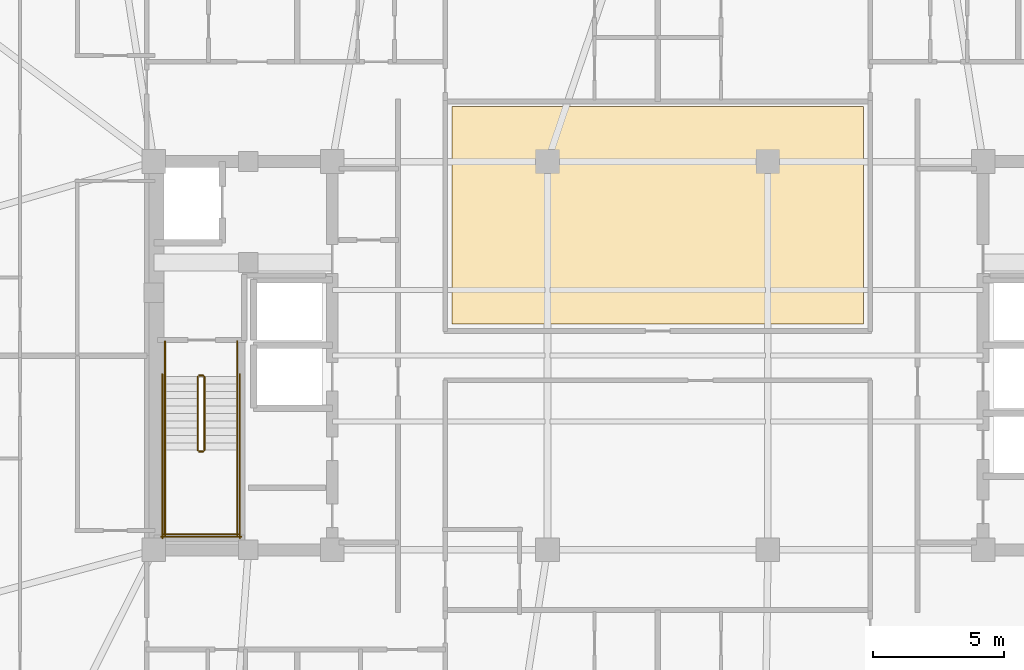
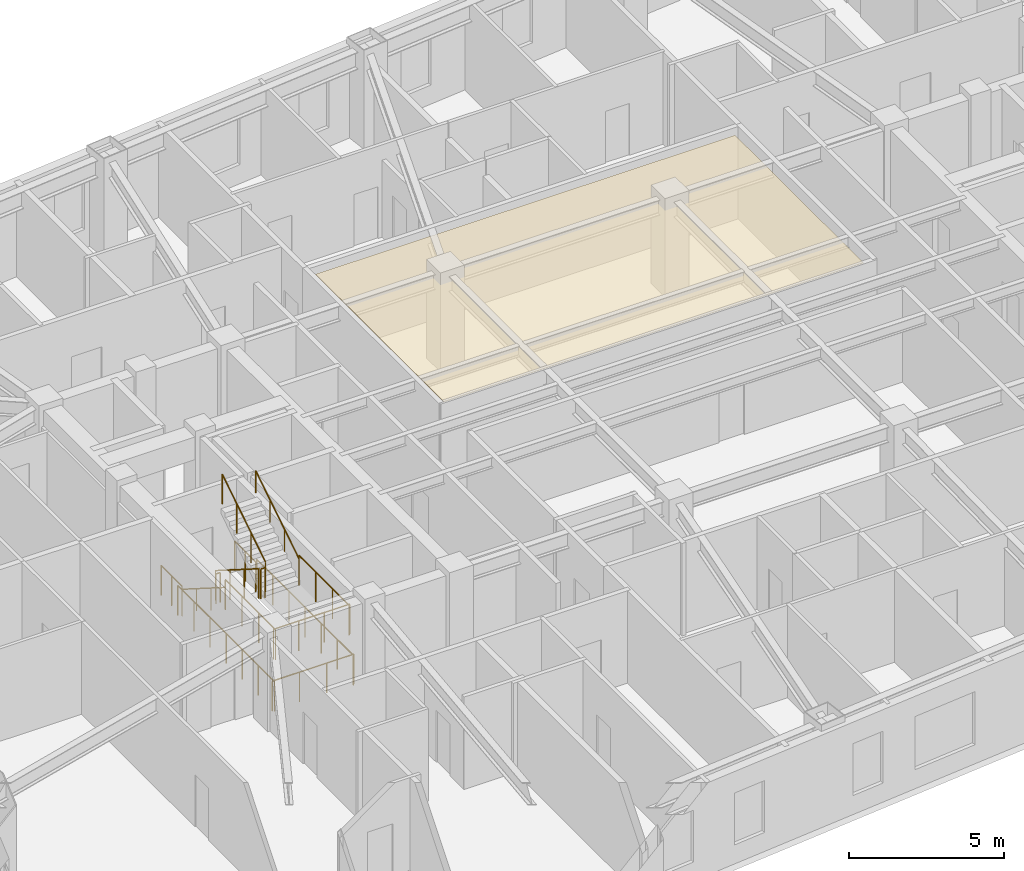
# One storey, part 10 of 11: 14 railings, 1 covering.
"""IFC4 building model written with IfcOpenShell, lengths in metres."""

from ifc_helpers import new_model, si_unit, direction, frame, origin, origin_2d, place, context, subcontext, project, spatial, polyline, circle, outline, extrude, material, layer, layer_set, type_object, element, save


model = new_model("IFC4")

# Units and contexts
model_context = context("Model", 3, precision=1e-05, world=origin(), true_north=direction((0.0, 1.0)))
body_context = subcontext(model_context, "Body", "Model", "MODEL_VIEW")
ifc_project = project(units=[si_unit("LENGTHUNIT", "METRE"), si_unit("AREAUNIT", "SQUARE_METRE"), si_unit("VOLUMEUNIT", "CUBIC_METRE"), si_unit("PLANEANGLEUNIT", "RADIAN"), si_unit("MASSUNIT", "GRAM", prefix="KILO")], contexts=[model_context])

# Site, building, storey
site_placement = place(None, origin())
site = spatial("IfcSite", under=ifc_project, at=site_placement, CompositionType="ELEMENT")
building_placement = place(site_placement, origin())
building = spatial("IfcBuilding", under=site, at=building_placement, Name="Voryun Gate Residences", CompositionType="ELEMENT")
storey_placement = place(building_placement, frame((0.0, 0.0, 183.300048828125)))
storey = spatial("IfcBuildingStorey", under=building, at=storey_placement, Name="L45", CompositionType="ELEMENT", Elevation=183.300048828125)

# Covering
ifc_material_1 = material(Name="Gypsum acoustic ceiling")
ifc_layer = layer(ifc_material_1, 0.02490234375, Name="COV_CEILING_ACOUSTIC")
ifc_layer_set = layer_set([ifc_layer], Name="Gypsum acoustic ceiling")
covering_type = type_object("IfcCoveringType", Name="COV_CEILING_ACOUSTIC", PredefinedType="CEILING", material=ifc_layer_set)
covering_placement = place(storey_placement, frame((0.0, 0.0, 3.39990234375)))
element("IfcCovering", 1, at=covering_placement, inside=storey, type_object=covering_type, Name="Acoustic ceiling CLG-L45-01", PredefinedType="CEILING", context=body_context, shape_type="SweptSolid", body=[
    extrude(outline(polyline([(-7.840087890625, 1.199951171875), (-7.840087890625, 9.5), (7.840087890625, 9.5), (7.840087890625, 1.199951171875), (-7.840087890625, 1.199951171875)])), origin(), (0.0, 0.0, 1.0), 0.025146484375),
])

# Railings
ifc_material_2 = material(Name="Painted steel", Category="steel")
railing_type_1 = type_object("IfcRailingType", Name="RAIL_STAIR_GUARD_1200", PredefinedType="GUARDRAIL", material=ifc_material_2)
railing_1_placement = place(storey_placement, frame((-17.52490234375, -0.800048828125, 0.17724609375)))
element("IfcRailing", 2, at=railing_1_placement, inside=storey, type_object=railing_type_1, Name="L45 ST-W1 stair guard 1", PredefinedType="GUARDRAIL", context=body_context, shape_type="SweptSolid", body=[
    extrude(circle(Radius=0.02392578125, at=origin_2d()), frame((0.0, 0.0, 1.17578125), z_axis=(0.0, -0.844908973607, 0.534910110503), x_axis=(1.0, 0.0, 0.0)), (0.0, 0.0, 1.0), 3.31396484375),
    extrude(circle(Radius=0.02099609375, at=origin_2d()), origin(), (0.0, 0.0, 1.0), 1.15185546875),
    extrude(circle(Radius=0.02099609375, at=origin_2d()), frame((0.0, -0.933349609375, 0.5908203125)), (0.0, 0.0, 1.0), 1.15185546875),
    extrude(circle(Radius=0.02099609375, at=origin_2d()), frame((0.0, -1.86669921875, 1.181884765625)), (0.0, 0.0, 1.0), 1.15185546875),
    extrude(circle(Radius=0.02099609375, at=origin_2d()), frame((0.0, -2.800048828125, 1.772705078125)), (0.0, 0.0, 1.0), 1.15185546875),
])
railing_2_placement = place(storey_placement, frame((-17.47509765625, -3.64990234375, 1.949951171875)))
element("IfcRailing", 3, at=railing_2_placement, inside=storey, type_object=railing_type_1, Name="L45 ST-W1 stair guard 2", PredefinedType="GUARDRAIL", context=body_context, shape_type="SweptSolid", body=[
    extrude(circle(Radius=0.02392578125, at=origin_2d()), frame((0.0, 0.0, 1.17578125), z_axis=(1.0, 0.0, 0.0), x_axis=(0.0, 1.0, 0.0)), (0.0, 0.0, 1.0), 0.150146484375),
    extrude(circle(Radius=0.02099609375, at=origin_2d()), origin(), (0.0, 0.0, 1.0), 1.15185546875),
    extrude(circle(Radius=0.02099609375, at=origin_2d()), frame((0.150146484375, 0.0, 0.0)), (0.0, 0.0, 1.0), 1.15185546875),
])
for number, where, name in (
    (4, (-18.77490234375, -3.60009765625, 1.949951171875), "L45 ST-W1 stair guard 3"),
    (5, (-16.02490234375, -3.60009765625, 1.949951171875), "L45 ST-W1 stair guard 4"),
):
    element("IfcRailing", number, at=place(storey_placement, frame(where)), inside=storey, type_object=railing_type_1, Name=name, PredefinedType="GUARDRAIL", context=body_context, shape_type="SweptSolid", body=[
        extrude(circle(Radius=0.02392578125, at=origin_2d()), frame((0.0, 0.0, 1.17578125), z_axis=(0.0, -1.0, 0.0), x_axis=(1.0, 0.0, 0.0)), (0.0, 0.0, 1.0), 3.25),
        extrude(circle(Radius=0.02099609375, at=origin_2d()), origin(), (0.0, 0.0, 1.0), 1.15185546875),
        extrude(circle(Radius=0.02099609375, at=origin_2d()), frame((0.0, -1.083251953125, 0.0)), (0.0, 0.0, 1.0), 1.15185546875),
        extrude(circle(Radius=0.02099609375, at=origin_2d()), frame((0.0, -2.166748046875, 0.0)), (0.0, 0.0, 1.0), 1.15185546875),
        extrude(circle(Radius=0.02099609375, at=origin_2d()), frame((0.0, -3.25, 0.0)), (0.0, 0.0, 1.0), 1.15185546875),
    ])
railing_3_placement = place(storey_placement, frame((-18.824951171875, -6.800048828125, 1.949951171875)))
element("IfcRailing", 6, at=railing_3_placement, inside=storey, type_object=railing_type_1, Name="L45 ST-W1 stair guard 5", PredefinedType="GUARDRAIL", context=body_context, shape_type="SweptSolid", body=[
    extrude(circle(Radius=0.02392578125, at=origin_2d()), frame((0.0, 0.0, 1.17578125), z_axis=(1.0, 0.0, 0.0), x_axis=(0.0, 1.0, 0.0)), (0.0, 0.0, 1.0), 2.849853515625),
    extrude(circle(Radius=0.02099609375, at=origin_2d()), origin(), (0.0, 0.0, 1.0), 1.15185546875),
    extrude(circle(Radius=0.02099609375, at=origin_2d()), frame((0.949951171875, 0.0, 0.0)), (0.0, 0.0, 1.0), 1.15185546875),
    extrude(circle(Radius=0.02099609375, at=origin_2d()), frame((1.89990234375, 0.0, 0.0)), (0.0, 0.0, 1.0), 1.15185546875),
    extrude(circle(Radius=0.02099609375, at=origin_2d()), frame((2.849853515625, 0.0, 0.0)), (0.0, 0.0, 1.0), 1.15185546875),
])
railing_4_placement = place(storey_placement, frame((-17.27490234375, -3.60009765625, 2.127197265625)))
element("IfcRailing", 7, at=railing_4_placement, inside=storey, type_object=railing_type_1, Name="L45 ST-W1 stair guard 6", PredefinedType="GUARDRAIL", context=body_context, shape_type="SweptSolid", body=[
    extrude(circle(Radius=0.02392578125, at=origin_2d()), frame((0.0, 0.0, 1.17578125), z_axis=(0.0, 0.844908973607, 0.534910110503), x_axis=(-1.0, 0.0, 0.0)), (0.0, 0.0, 1.0), 3.31396484375),
    extrude(circle(Radius=0.02099609375, at=origin_2d()), origin(), (0.0, 0.0, 1.0), 1.15185546875),
    extrude(circle(Radius=0.02099609375, at=origin_2d()), frame((0.0, 0.933349609375, 0.5908203125)), (0.0, 0.0, 1.0), 1.15185546875),
    extrude(circle(Radius=0.02099609375, at=origin_2d()), frame((0.0, 1.86669921875, 1.181884765625)), (0.0, 0.0, 1.0), 1.15185546875),
    extrude(circle(Radius=0.02099609375, at=origin_2d()), frame((0.0, 2.800048828125, 1.772705078125)), (0.0, 0.0, 1.0), 1.15185546875),
])
railing_5_placement = place(storey_placement, frame((-17.47509765625, -0.75, 0.0)))
element("IfcRailing", 8, at=railing_5_placement, inside=storey, type_object=railing_type_1, Name="L45 ST-W1 stair guard 7", PredefinedType="GUARDRAIL", context=body_context, shape_type="SweptSolid", body=[
    extrude(circle(Radius=0.02392578125, at=origin_2d()), frame((0.0, 0.0, 1.17578125), z_axis=(1.0, 0.0, 0.0), x_axis=(0.0, 1.0, 0.0)), (0.0, 0.0, 1.0), 0.150146484375),
    extrude(circle(Radius=0.02099609375, at=origin_2d()), origin(), (0.0, 0.0, 1.0), 1.15185546875),
    extrude(circle(Radius=0.02099609375, at=origin_2d()), frame((0.150146484375, 0.0, 0.0)), (0.0, 0.0, 1.0), 1.15185546875),
])
for number, where, name in (
    (9, (-18.77490234375, 0.550048828125, 0.0), "L45 ST-W1 stair guard 8"),
    (10, (-16.02490234375, 0.550048828125, 0.0), "L45 ST-W1 stair guard 9"),
):
    element("IfcRailing", number, at=place(storey_placement, frame(where)), inside=storey, type_object=railing_type_1, Name=name, PredefinedType="GUARDRAIL", context=body_context, shape_type="SweptSolid", body=[
        extrude(circle(Radius=0.02392578125, at=origin_2d()), frame((0.0, 0.0, 1.17578125), z_axis=(0.0, -1.0, 0.0), x_axis=(1.0, 0.0, 0.0)), (0.0, 0.0, 1.0), 1.35009765625),
        extrude(circle(Radius=0.02099609375, at=origin_2d()), origin(), (0.0, 0.0, 1.0), 1.15185546875),
        extrude(circle(Radius=0.02099609375, at=origin_2d()), frame((0.0, -0.675048828125, 0.0)), (0.0, 0.0, 1.0), 1.15185546875),
        extrude(circle(Radius=0.02099609375, at=origin_2d()), frame((0.0, -1.35009765625, 0.0)), (0.0, 0.0, 1.0), 1.15185546875),
    ])
for number, where, name in (
    (11, (-18.875, -0.699951171875, 0.0), "L45 ST-W1 stair guard 10"),
    (12, (-15.925048828125, -0.699951171875, 0.0), "L45 ST-W1 stair guard 11"),
):
    element("IfcRailing", number, at=place(storey_placement, frame(where)), inside=storey, type_object=railing_type_1, Name=name, PredefinedType="GUARDRAIL", context=body_context, shape_type="SweptSolid", body=[
        extrude(circle(Radius=0.02392578125, at=origin_2d()), frame((0.0, 0.0, 1.17578125), z_axis=(0.0, -1.0, 0.0), x_axis=(1.0, 0.0, 0.0)), (0.0, 0.0, 1.0), 6.25),
        extrude(circle(Radius=0.02099609375, at=origin_2d()), origin(), (0.0, 0.0, 1.0), 1.15185546875),
        extrude(circle(Radius=0.02099609375, at=origin_2d()), frame((0.0, -1.041748046875, 0.0)), (0.0, 0.0, 1.0), 1.15185546875),
        extrude(circle(Radius=0.02099609375, at=origin_2d()), frame((0.0, -2.083251953125, 0.0)), (0.0, 0.0, 1.0), 1.15185546875),
        extrude(circle(Radius=0.02099609375, at=origin_2d()), frame((0.0, -3.125, 0.0)), (0.0, 0.0, 1.0), 1.15185546875),
        extrude(circle(Radius=0.02099609375, at=origin_2d()), frame((0.0, -4.166748046875, 0.0)), (0.0, 0.0, 1.0), 1.15185546875),
        extrude(circle(Radius=0.02099609375, at=origin_2d()), frame((0.0, -5.208251953125, 0.0)), (0.0, 0.0, 1.0), 1.15185546875),
        extrude(circle(Radius=0.02099609375, at=origin_2d()), frame((0.0, -6.25, 0.0)), (0.0, 0.0, 1.0), 1.15185546875),
    ])
railing_6_placement = place(storey_placement, frame((-18.925048828125, -6.89990234375, 0.0)))
element("IfcRailing", 13, at=railing_6_placement, inside=storey, type_object=railing_type_1, Name="L45 ST-W1 stair guard 12", PredefinedType="GUARDRAIL", context=body_context, shape_type="SweptSolid", body=[
    extrude(circle(Radius=0.02392578125, at=origin_2d()), frame((0.0, 0.0, 1.17578125), z_axis=(1.0, 0.0, 0.0), x_axis=(0.0, 1.0, 0.0)), (0.0, 0.0, 1.0), 3.050048828125),
    extrude(circle(Radius=0.02099609375, at=origin_2d()), origin(), (0.0, 0.0, 1.0), 1.15185546875),
    extrude(circle(Radius=0.02099609375, at=origin_2d()), frame((1.0166015625, 0.0, 0.0)), (0.0, 0.0, 1.0), 1.15185546875),
    extrude(circle(Radius=0.02099609375, at=origin_2d()), frame((2.033447265625, 0.0, 0.0)), (0.0, 0.0, 1.0), 1.15185546875),
    extrude(circle(Radius=0.02099609375, at=origin_2d()), frame((3.050048828125, 0.0, 0.0)), (0.0, 0.0, 1.0), 1.15185546875),
])
ifc_material_3 = material(Name="Painted steel", Category="steel")
railing_type_2 = type_object("IfcRailingType", Name="RAIL_STAIR_HANDRAIL_900", PredefinedType="HANDRAIL", material=ifc_material_3)
railing_7_placement = place(storey_placement, frame((-18.77490234375, -0.800048828125, 0.17724609375)))
element("IfcRailing", 14, at=railing_7_placement, inside=storey, type_object=railing_type_2, Name="L45 ST-W1 stair handrail 1", PredefinedType="HANDRAIL", context=body_context, shape_type="SweptSolid", body=[
    extrude(circle(Radius=0.02392578125, at=origin_2d()), frame((0.0, 0.0, 0.8759765625), z_axis=(0.0, -0.844908973607, 0.534910110503), x_axis=(1.0, 0.0, 0.0)), (0.0, 0.0, 1.0), 3.31396484375),
    extrude(circle(Radius=0.02099609375, at=origin_2d()), origin(), (0.0, 0.0, 1.0), 0.851806640625),
    extrude(circle(Radius=0.02099609375, at=origin_2d()), frame((0.0, -0.933349609375, 0.5908203125)), (0.0, 0.0, 1.0), 0.851806640625),
    extrude(circle(Radius=0.02099609375, at=origin_2d()), frame((0.0, -1.86669921875, 1.181884765625)), (0.0, 0.0, 1.0), 0.851806640625),
    extrude(circle(Radius=0.02099609375, at=origin_2d()), frame((0.0, -2.800048828125, 1.772705078125)), (0.0, 0.0, 1.0), 0.851806640625),
])
railing_8_placement = place(storey_placement, frame((-16.02490234375, -3.60009765625, 2.127197265625)))
element("IfcRailing", 15, at=railing_8_placement, inside=storey, type_object=railing_type_2, Name="L45 ST-W1 stair handrail 2", PredefinedType="HANDRAIL", context=body_context, shape_type="SweptSolid", body=[
    extrude(circle(Radius=0.02392578125, at=origin_2d()), frame((0.0, 0.0, 0.8759765625), z_axis=(0.0, 0.844908973607, 0.534910110503), x_axis=(-1.0, 0.0, 0.0)), (0.0, 0.0, 1.0), 3.31396484375),
    extrude(circle(Radius=0.02099609375, at=origin_2d()), origin(), (0.0, 0.0, 1.0), 0.851806640625),
    extrude(circle(Radius=0.02099609375, at=origin_2d()), frame((0.0, 0.933349609375, 0.5908203125)), (0.0, 0.0, 1.0), 0.851806640625),
    extrude(circle(Radius=0.02099609375, at=origin_2d()), frame((0.0, 1.86669921875, 1.181884765625)), (0.0, 0.0, 1.0), 0.851806640625),
    extrude(circle(Radius=0.02099609375, at=origin_2d()), frame((0.0, 2.800048828125, 1.772705078125)), (0.0, 0.0, 1.0), 0.851806640625),
])

save(model, "model.ifc")
